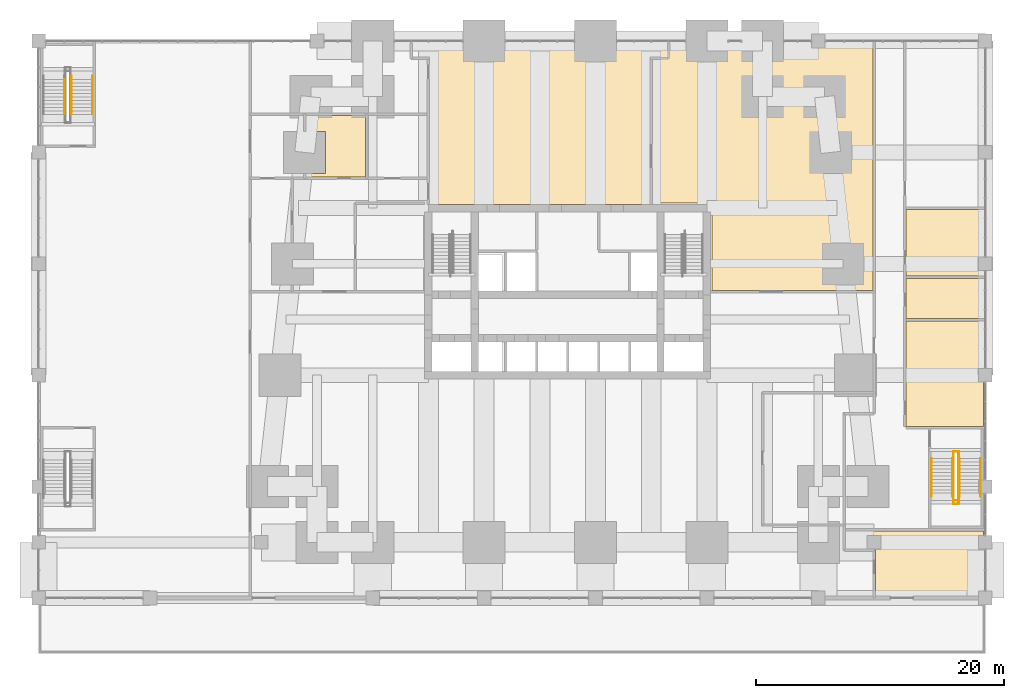
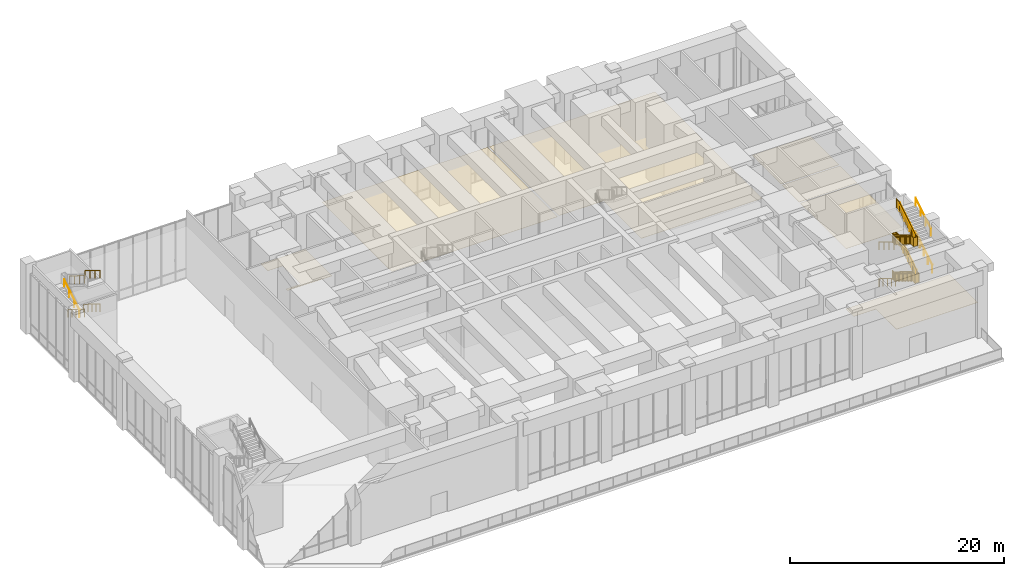
# One storey, part 26 of 26: 17 railings, 7 coverings.
"""IFC4 building model written with IfcOpenShell, lengths in metres."""

import ifcopenshell
import ifcopenshell.guid

model = None  # the IFC model being written
_history = None  # IfcOwnerHistory: only IFC2X3 demands one
_inside = {}  # id of a spatial element -> (the spatial element, [elements in it])
_under = {}  # id of a project, library or spatial element -> (it, [spatial elements below it])
_declared = {}  # id of a project -> (the project, [libraries it declares])
_typed = {}  # id of a type object -> (the type object, [elements of that type])
_made_of = {}  # id of a material, layer set ... -> (it, [elements and type objects made of it])


def new_model(schema):
    """Start an empty IFC model of exactly this schema.

    Asked for "IFC4X3", IfcOpenShell would pick the latest addendum, in which some entities
    have other attributes; the version numbers below select the first issue.
    IFC2X3 requires an IfcOwnerHistory on every rooted entity: one is made here for all.
    """
    global model, _history
    if schema == "IFC4X3":
        model = ifcopenshell.file(schema_version=(4, 3, 0, 0))
    else:
        model = ifcopenshell.file(schema=schema)
    _inside.clear()
    _under.clear()
    _declared.clear()
    _typed.clear()
    _made_of.clear()
    _history = None
    if model.schema == "IFC2X3":
        org = make("IfcOrganization", Name="unknown")
        user = make(
            "IfcPersonAndOrganization",
            ThePerson=make("IfcPerson", FamilyName="unknown"),
            TheOrganization=org,
        )
        app = make(
            "IfcApplication",
            ApplicationDeveloper=org,
            Version="unknown",
            ApplicationFullName="unknown",
            ApplicationIdentifier="unknown",
        )
        _history = make(
            "IfcOwnerHistory",
            OwningUser=user,
            OwningApplication=app,
            ChangeAction="ADDED",
            CreationDate=0,
        )
    return model


def make(cls, **values):
    """One entity of the class cls with the attributes given. An attribute that is None is left unset."""
    return model.create_entity(
        cls, **{name: value for name, value in values.items() if value is not None}
    )


def rooted(cls, **values):
    """An entity with a GlobalId (a new one), such as an element, a storey or a relation."""
    return make(cls, GlobalId=ifcopenshell.guid.new(), OwnerHistory=_history, **values)


def si_unit(unit_type, name, prefix=None):
    """IfcSIUnit, for example si_unit("LENGTHUNIT", "METRE", prefix="MILLI")."""
    return make("IfcSIUnit", UnitType=unit_type, Prefix=prefix, Name=name)


def assignment(units):
    """IfcUnitAssignment: the units of a project."""
    return None if units is None else make("IfcUnitAssignment", Units=units)


def point(xyz):
    """IfcCartesianPoint."""
    return None if xyz is None else make("IfcCartesianPoint", Coordinates=xyz)


def direction(xyz):
    """IfcDirection."""
    return None if xyz is None else make("IfcDirection", DirectionRatios=xyz)


def frame(location, z_axis=None, x_axis=None):
    """IfcAxis2Placement3D, a coordinate frame: its origin and axes. An axis left out is left unset."""
    return make(
        "IfcAxis2Placement3D",
        Location=point(location),
        Axis=direction(z_axis),
        RefDirection=direction(x_axis),
    )


def frame_2d(location, x_axis=None):
    """IfcAxis2Placement2D, a coordinate frame in the plane: its origin and x axis."""
    return make(
        "IfcAxis2Placement2D", Location=point(location), RefDirection=direction(x_axis)
    )


def origin():
    """The frame at (0, 0, 0) with its axes left unset."""
    return frame((0.0, 0.0, 0.0))


def origin_2d():
    """The frame at (0, 0) in the plane with its x axis left unset."""
    return frame_2d((0.0, 0.0))


def place(relative_to, where):
    """IfcLocalPlacement: puts the frame where relative to a parent placement (None: the world)."""
    return make(
        "IfcLocalPlacement", PlacementRelTo=relative_to, RelativePlacement=where
    )


def context(
    kind, dimensions, precision=None, world=None, true_north=None, identifier=None
):
    """IfcGeometricRepresentationContext, for example the 3D "Model" context."""
    return make(
        "IfcGeometricRepresentationContext",
        ContextIdentifier=identifier,
        ContextType=kind,
        CoordinateSpaceDimension=dimensions,
        Precision=precision,
        WorldCoordinateSystem=world,
        TrueNorth=true_north,
    )


def subcontext(parent, identifier, kind, view, scale=None):
    """IfcGeometricRepresentationSubContext, for example "Body" below "Model"."""
    return make(
        "IfcGeometricRepresentationSubContext",
        ContextIdentifier=identifier,
        ContextType=kind,
        ParentContext=parent,
        TargetScale=scale,
        TargetView=view,
    )


def project(units=None, contexts=None):
    """IfcProject with its units and contexts."""
    return rooted(
        "IfcProject",
        Name="project",
        RepresentationContexts=contexts,
        UnitsInContext=assignment(units),
    )


def spatial(cls, under=None, at=None, **own):
    """A site, building, storey or space (cls), placed at a placement, below another one or the project."""
    s = rooted(cls, ObjectPlacement=at, **own)
    if under is not None:
        _under.setdefault(under.id(), (under, []))[1].append(s)
    return s


def polyline(points):
    """IfcPolyline through the points."""
    return make("IfcPolyline", Points=[point(p) for p in points])


def profile(cls, at=None, kind="AREA", **sizes):
    """A parametric profile (cls). Its sizes go by their IFC names, for example OverallWidth=200.0."""
    return make(cls, ProfileType=kind, Position=at, **sizes)


def circle(**sizes):
    """IfcCircleProfileDef."""
    return profile("IfcCircleProfileDef", **sizes)


def outline(outer, holes=None, kind="AREA"):
    """IfcArbitraryClosedProfileDef: a profile drawn as a closed curve; with holes, ...WithVoids."""
    if holes is None:
        return make("IfcArbitraryClosedProfileDef", ProfileType=kind, OuterCurve=outer)
    return make(
        "IfcArbitraryProfileDefWithVoids",
        ProfileType=kind,
        OuterCurve=outer,
        InnerCurves=holes,
    )


def extrude(swept, where, along, depth):
    """IfcExtrudedAreaSolid: the profile swept, set in the frame where, extruded along a direction by depth."""
    return make(
        "IfcExtrudedAreaSolid",
        SweptArea=swept,
        Position=where,
        ExtrudedDirection=direction(along),
        Depth=depth,
    )


def shape(context_of_items, identifier, shape_type, items):
    """IfcShapeRepresentation: the items that make up one representation, for example the "Body"."""
    return make(
        "IfcShapeRepresentation",
        ContextOfItems=context_of_items,
        RepresentationIdentifier=identifier,
        RepresentationType=shape_type,
        Items=items,
    )


def material(Name=None, Category=None):
    """IfcMaterial."""
    return make("IfcMaterial", Name=Name, Category=Category)


def layer(
    of_material, thickness, ventilated=None, Name=None, Category=None, Priority=None
):
    """IfcMaterialLayer: one layer of a wall or slab, of a material (None: an air gap)."""
    return make(
        "IfcMaterialLayer",
        Material=of_material,
        LayerThickness=thickness,
        IsVentilated=ventilated,
        Name=Name,
        Category=Category,
        Priority=Priority,
    )


def layer_set(layers, Name=None):
    """IfcMaterialLayerSet."""
    return make("IfcMaterialLayerSet", MaterialLayers=layers, LayerSetName=Name)


def made_of(thing, what):
    """Note that an element or type object is made of a material, layer set ...; save() writes the relation."""
    if what is not None:
        _made_of.setdefault(what.id(), (what, []))[1].append(thing)
    return thing


def type_object(cls, material=None, **own):
    """A type object (cls), such as IfcWallType, which elements share."""
    return made_of(rooted(cls, **own), material)


def element(
    cls,
    number,
    at=None,
    inside=None,
    cuts=None,
    type_object=None,
    material=None,
    context=None,
    identifier="Body",
    shape_type=None,
    held_by="IfcProductDefinitionShape",
    body=None,
    shapes=None,
    **own,
):
    """One element of the class cls, such as IfcWall. Its Tag is "e" and its number.

    at: its placement. inside: the storey or other place that contains it. cuts: it is an
    opening in that element (IfcRelVoidsElement). A single representation is given by context,
    identifier, shape_type and body (its items); several are given by shapes. held_by: the class
    of the entity that holds the representations. save() writes the other relations.
    """
    e = rooted(cls, Tag="e%d" % number, ObjectPlacement=at, **own)
    if body is not None:
        shapes = [shape(context, identifier, shape_type, body)]
    if shapes is not None:
        e.Representation = make(held_by, Representations=shapes)
    if inside is not None:
        _inside.setdefault(inside.id(), (inside, []))[1].append(e)
    if cuts is not None:
        rooted(
            "IfcRelVoidsElement", RelatingBuildingElement=cuts, RelatedOpeningElement=e
        )
    if type_object is not None:
        _typed.setdefault(type_object.id(), (type_object, []))[1].append(e)
    return made_of(e, material)


def aggregate(whole, parts):
    """IfcRelAggregates: a whole, such as a stair, and the parts it consists of."""
    return rooted("IfcRelAggregates", RelatingObject=whole, RelatedObjects=parts)


def save(model, path):
    """Write the relations noted so far, then the file.

    IfcRelAggregates (storeys below a building ...), IfcRelContainedInSpatialStructure (elements
    in a storey), IfcRelDefinesByType, IfcRelAssociatesMaterial and IfcRelDeclares: one each for
    every whole, place, type object, material and project.
    """
    for whole, parts in _under.values():
        aggregate(whole, parts)
    for where, things in _inside.values():
        rooted(
            "IfcRelContainedInSpatialStructure",
            RelatedElements=things,
            RelatingStructure=where,
        )
    for kind, things in _typed.values():
        rooted("IfcRelDefinesByType", RelatedObjects=things, RelatingType=kind)
    for what, things in _made_of.values():
        rooted("IfcRelAssociatesMaterial", RelatedObjects=things, RelatingMaterial=what)
    for by, libraries in _declared.values():
        rooted("IfcRelDeclares", RelatingContext=by, RelatedDefinitions=libraries)
    model.write(path)


model = new_model("IFC4")

# Units and contexts
model_context = context("Model", 3, precision=1e-05, world=origin(), true_north=direction((0.0, 1.0)))
body_context = subcontext(model_context, "Body", "Model", "MODEL_VIEW")
ifc_project = project(units=[si_unit("LENGTHUNIT", "METRE"), si_unit("AREAUNIT", "SQUARE_METRE"), si_unit("VOLUMEUNIT", "CUBIC_METRE"), si_unit("PLANEANGLEUNIT", "RADIAN"), si_unit("MASSUNIT", "GRAM", prefix="KILO")], contexts=[model_context])

# Site, building, storey
site_placement = place(None, origin())
site = spatial("IfcSite", under=ifc_project, at=site_placement, CompositionType="ELEMENT")
building_placement = place(site_placement, origin())
building = spatial("IfcBuilding", under=site, at=building_placement, Name="Kilele Tower Hotel", CompositionType="ELEMENT")
storey_placement = place(building_placement, frame((0.0, 0.0, 11.0)))
storey = spatial("IfcBuildingStorey", under=building, at=storey_placement, Name="L02", CompositionType="ELEMENT", Elevation=11.0)

# Railings
ifc_material_1 = material(Name="Steel handrail", Category="steel")
railing_type_1 = type_object("IfcRailingType", Name="Handrail 900", PredefinedType="HANDRAIL", material=ifc_material_1)
for number, where, name in (
    (1, (-15.35009765625, 37.6650390625, 2.260986328125), "Handrail ST3 flight 2"),
    (2, (-13.64990234375, 37.6650390625, 2.260986328125), "Handrail ST3 flight 2"),
):
    element("IfcRailing", number, at=place(storey_placement, frame(where)), inside=storey, type_object=railing_type_1, Name=name, PredefinedType="HANDRAIL", context=body_context, shape_type="SweptSolid", body=[
        extrude(circle(Radius=0.02490234375, at=origin_2d()), frame((0.0, 0.0, 0.875), z_axis=(0.0, -0.849508011154, 0.527575718722), x_axis=(1.0, 0.0, 0.0)), (0.0, 0.0, 1.0), 3.625732421875),
        extrude(circle(Radius=0.02001953125, at=origin_2d()), origin(), (0.0, 0.0, 1.0), 0.849853515625),
        extrude(circle(Radius=0.02001953125, at=origin_2d()), frame((0.0, -0.77001953125, 0.478271484375)), (0.0, 0.0, 1.0), 0.849853515625),
        extrude(circle(Radius=0.02001953125, at=origin_2d()), frame((0.0, -1.5400390625, 0.95654296875)), (0.0, 0.0, 1.0), 0.849853515625),
        extrude(circle(Radius=0.02001953125, at=origin_2d()), frame((0.0, -2.31005859375, 1.4345703125)), (0.0, 0.0, 1.0), 0.849853515625),
        extrude(circle(Radius=0.02001953125, at=origin_2d()), frame((0.0, -3.080078125, 1.912841796875)), (0.0, 0.0, 1.0), 0.849853515625),
    ])
railing_1_placement = place(storey_placement, frame((-15.89990234375, 34.5849609375, 4.347900390625)))
element("IfcRailing", 3, at=railing_1_placement, inside=storey, type_object=railing_type_1, Name="Handrail ST3 flight 3", PredefinedType="HANDRAIL", context=body_context, shape_type="SweptSolid", body=[
    extrude(circle(Radius=0.02490234375, at=origin_2d()), frame((0.0, 0.0, 0.875), z_axis=(0.0, 0.849497083269, 0.527593314511), x_axis=(-1.0, 0.0, 0.0)), (0.0, 0.0, 1.0), 3.296142578125),
    extrude(circle(Radius=0.02001953125, at=origin_2d()), origin(), (0.0, 0.0, 1.0), 0.849853515625),
    extrude(circle(Radius=0.02001953125, at=origin_2d()), frame((0.0, 0.933349609375, 0.57958984375)), (0.0, 0.0, 1.0), 0.849853515625),
    extrude(circle(Radius=0.02001953125, at=origin_2d()), frame((0.0, 1.86669921875, 1.159423828125)), (0.0, 0.0, 1.0), 0.849853515625),
    extrude(circle(Radius=0.02001953125, at=origin_2d()), frame((0.0, 2.800048828125, 1.739013671875)), (0.0, 0.0, 1.0), 0.849853515625),
])
for number, where, name in (
    (4, (-15.35009765625, 37.385009765625, 6.260986328125), "Handrail ST3 flight 4"),
    (5, (-13.64990234375, 37.385009765625, 6.260986328125), "Handrail ST3 flight 4"),
):
    element("IfcRailing", number, at=place(storey_placement, frame(where)), inside=storey, type_object=railing_type_1, Name=name, PredefinedType="HANDRAIL", context=body_context, shape_type="SweptSolid", body=[
        extrude(circle(Radius=0.02490234375, at=origin_2d()), frame((0.0, 0.0, 0.875), z_axis=(0.0, -0.849497083269, 0.527593314511), x_axis=(1.0, 0.0, 0.0)), (0.0, 0.0, 1.0), 3.296142578125),
        extrude(circle(Radius=0.02001953125, at=origin_2d()), origin(), (0.0, 0.0, 1.0), 0.849853515625),
        extrude(circle(Radius=0.02001953125, at=origin_2d()), frame((0.0, -0.933349609375, 0.57958984375)), (0.0, 0.0, 1.0), 0.849853515625),
        extrude(circle(Radius=0.02001953125, at=origin_2d()), frame((0.0, -1.86669921875, 1.159423828125)), (0.0, 0.0, 1.0), 0.849853515625),
        extrude(circle(Radius=0.02001953125, at=origin_2d()), frame((0.0, -2.800048828125, 1.739013671875)), (0.0, 0.0, 1.0), 0.849853515625),
    ])
for number, where, name in (
    (6, (54.14990234375, 6.764892578125, 0.173828125), "Handrail ST5 flight 1"),
    (7, (55.85009765625, 6.764892578125, 0.173828125), "Handrail ST5 flight 1"),
):
    element("IfcRailing", number, at=place(storey_placement, frame(where)), inside=storey, type_object=railing_type_1, Name=name, PredefinedType="HANDRAIL", context=body_context, shape_type="SweptSolid", body=[
        extrude(circle(Radius=0.02490234375, at=origin_2d()), frame((0.0, 0.0, 0.875), z_axis=(0.0, -0.849459085935, 0.527654490479), x_axis=(1.0, 0.0, 0.0)), (0.0, 0.0, 1.0), 3.625732421875),
        extrude(circle(Radius=0.02001953125, at=origin_2d()), origin(), (0.0, 0.0, 1.0), 0.849853515625),
        extrude(circle(Radius=0.02001953125, at=origin_2d()), frame((0.0, -0.77001953125, 0.478271484375)), (0.0, 0.0, 1.0), 0.849853515625),
        extrude(circle(Radius=0.02001953125, at=origin_2d()), frame((0.0, -1.5400390625, 0.95654296875)), (0.0, 0.0, 1.0), 0.849853515625),
        extrude(circle(Radius=0.02001953125, at=origin_2d()), frame((0.0, -2.309814453125, 1.434814453125)), (0.0, 0.0, 1.0), 0.849853515625),
        extrude(circle(Radius=0.02001953125, at=origin_2d()), frame((0.0, -3.079833984375, 1.9130859375)), (0.0, 0.0, 1.0), 0.849853515625),
    ])
for number, where, name in (
    (8, (56.39990234375, 3.68505859375, 2.260986328125), "Handrail ST5 flight 2"),
    (9, (58.10009765625, 3.68505859375, 2.260986328125), "Handrail ST5 flight 2"),
):
    element("IfcRailing", number, at=place(storey_placement, frame(where)), inside=storey, type_object=railing_type_1, Name=name, PredefinedType="HANDRAIL", context=body_context, shape_type="SweptSolid", body=[
        extrude(circle(Radius=0.02490234375, at=origin_2d()), frame((0.0, 0.0, 0.875), z_axis=(0.0, 0.849489267569, 0.527605898645), x_axis=(-1.0, 0.0, 0.0)), (0.0, 0.0, 1.0), 3.62548828125),
        extrude(circle(Radius=0.02001953125, at=origin_2d()), origin(), (0.0, 0.0, 1.0), 0.849853515625),
        extrude(circle(Radius=0.02001953125, at=origin_2d()), frame((0.0, 0.77001953125, 0.478271484375)), (0.0, 0.0, 1.0), 0.849853515625),
        extrude(circle(Radius=0.02001953125, at=origin_2d()), frame((0.0, 1.5400390625, 0.95654296875)), (0.0, 0.0, 1.0), 0.849853515625),
        extrude(circle(Radius=0.02001953125, at=origin_2d()), frame((0.0, 2.309814453125, 1.4345703125)), (0.0, 0.0, 1.0), 0.849853515625),
        extrude(circle(Radius=0.02001953125, at=origin_2d()), frame((0.0, 3.079833984375, 1.912841796875)), (0.0, 0.0, 1.0), 0.849853515625),
    ])
for number, where, name in (
    (10, (54.14990234375, 6.764892578125, 4.347900390625), "Handrail ST5 flight 3"),
    (11, (55.85009765625, 6.764892578125, 4.347900390625), "Handrail ST5 flight 3"),
):
    element("IfcRailing", number, at=place(storey_placement, frame(where)), inside=storey, type_object=railing_type_1, Name=name, PredefinedType="HANDRAIL", context=body_context, shape_type="SweptSolid", body=[
        extrude(circle(Radius=0.02490234375, at=origin_2d()), frame((0.0, 0.0, 0.875), z_axis=(0.0, -0.849476463875, 0.527626513096), x_axis=(1.0, 0.0, 0.0)), (0.0, 0.0, 1.0), 3.2958984375),
        extrude(circle(Radius=0.02001953125, at=origin_2d()), origin(), (0.0, 0.0, 1.0), 0.849853515625),
        extrude(circle(Radius=0.02001953125, at=origin_2d()), frame((0.0, -0.933349609375, 0.57958984375)), (0.0, 0.0, 1.0), 0.849853515625),
        extrude(circle(Radius=0.02001953125, at=origin_2d()), frame((0.0, -1.866455078125, 1.159423828125)), (0.0, 0.0, 1.0), 0.849853515625),
        extrude(circle(Radius=0.02001953125, at=origin_2d()), frame((0.0, -2.7998046875, 1.739013671875)), (0.0, 0.0, 1.0), 0.849853515625),
    ])
for number, where, name in (
    (12, (56.39990234375, 3.965087890625, 6.260986328125), "Handrail ST5 flight 4"),
    (13, (58.10009765625, 3.965087890625, 6.260986328125), "Handrail ST5 flight 4"),
):
    element("IfcRailing", number, at=place(storey_placement, frame(where)), inside=storey, type_object=railing_type_1, Name=name, PredefinedType="HANDRAIL", context=body_context, shape_type="SweptSolid", body=[
        extrude(circle(Radius=0.02490234375, at=origin_2d()), frame((0.0, 0.0, 0.875), z_axis=(0.0, 0.849476463875, 0.527626513096), x_axis=(-1.0, 0.0, 0.0)), (0.0, 0.0, 1.0), 3.2958984375),
        extrude(circle(Radius=0.02001953125, at=origin_2d()), origin(), (0.0, 0.0, 1.0), 0.849853515625),
        extrude(circle(Radius=0.02001953125, at=origin_2d()), frame((0.0, 0.933349609375, 0.57958984375)), (0.0, 0.0, 1.0), 0.849853515625),
        extrude(circle(Radius=0.02001953125, at=origin_2d()), frame((0.0, 1.866455078125, 1.159423828125)), (0.0, 0.0, 1.0), 0.849853515625),
        extrude(circle(Radius=0.02001953125, at=origin_2d()), frame((0.0, 2.7998046875, 1.739013671875)), (0.0, 0.0, 1.0), 0.849853515625),
    ])
ifc_material_2 = material(Name="Steel guard", Category="steel")
railing_type_2 = type_object("IfcRailingType", Name="Stair guard 1100", PredefinedType="GUARDRAIL", material=ifc_material_2)
railing_2_placement = place(storey_placement, frame((55.909912109375, 7.35009765625, 0.0)))
element("IfcRailing", 14, at=railing_2_placement, inside=storey, type_object=railing_type_2, Name="Stair well guard ST5 flight 1", PredefinedType="GUARDRAIL", context=body_context, shape_type="SweptSolid", body=[
    extrude(circle(Radius=0.02490234375, at=origin_2d()), frame((0.0, 0.0, 1.0751953125), z_axis=(0.0, -1.0, 0.0), x_axis=(1.0, 0.0, 0.0)), (0.0, 0.0, 1.0), 0.30517578125),
    extrude(circle(Radius=0.02490234375, at=origin_2d()), frame((0.0, -0.30517578125, 1.0751953125), z_axis=(0.0, -0.849472271014, 0.527633263525), x_axis=(1.0, 0.0, 0.0)), (0.0, 0.0, 1.0), 3.955322265625),
    extrude(circle(Radius=0.02490234375, at=origin_2d()), frame((0.0, -3.6650390625, 3.162109375), z_axis=(0.0, -1.0, 0.0), x_axis=(1.0, 0.0, 0.0)), (0.0, 0.0, 1.0), 0.5849609375),
    extrude(circle(Radius=0.02490234375, at=origin_2d()), frame((0.0, -4.25, 3.162109375), z_axis=(1.0, 0.0, 0.0), x_axis=(0.0, 1.0, 0.0)), (0.0, 0.0, 1.0), 0.43017578125),
    extrude(circle(Radius=0.02490234375, at=origin_2d()), origin(), (0.0, 0.0, 1.0), 1.050048828125),
    extrude(circle(Radius=0.02490234375, at=origin_2d()), frame((0.0, -0.30517578125, 0.0)), (0.0, 0.0, 1.0), 1.050048828125),
    extrude(circle(Radius=0.02490234375, at=origin_2d()), frame((0.0, -1.14501953125, 0.521728515625)), (0.0, 0.0, 1.0), 1.050048828125),
    extrude(circle(Radius=0.02490234375, at=origin_2d()), frame((0.0, -1.985107421875, 1.04345703125)), (0.0, 0.0, 1.0), 1.050048828125),
    extrude(circle(Radius=0.02490234375, at=origin_2d()), frame((0.0, -2.8251953125, 1.565185546875)), (0.0, 0.0, 1.0), 1.050048828125),
    extrude(circle(Radius=0.02490234375, at=origin_2d()), frame((0.0, -3.6650390625, 2.0869140625)), (0.0, 0.0, 1.0), 1.050048828125),
    extrude(circle(Radius=0.02490234375, at=origin_2d()), frame((0.0, -4.25, 2.0869140625)), (0.0, 0.0, 1.0), 1.050048828125),
    extrude(circle(Radius=0.02490234375, at=origin_2d()), frame((0.43017578125, -4.25, 2.0869140625)), (0.0, 0.0, 1.0), 1.050048828125),
    extrude(outline(polyline([(0.0, 0.030029296875), (0.292724609375, 0.030029296875), (0.292724609375, 1.050048828125), (0.0, 1.050048828125), (0.0, 0.030029296875)])), frame((0.005859375, 0.0, 0.0), z_axis=(-1.0, 0.0, 0.0), x_axis=(0.0, -1.0, 0.0)), (0.0, 0.0, 1.0), 0.011962890625),
    extrude(outline(polyline([(0.012451171875, 0.030029296875), (0.25, 0.030029296875), (0.25, 0.203857421875), (0.530029296875, 0.203857421875), (0.530029296875, 0.3779296875), (0.81005859375, 0.3779296875), (0.81005859375, 0.5517578125), (1.08984375, 0.5517578125), (1.08984375, 0.7255859375), (1.369873046875, 0.7255859375), (1.369873046875, 0.899658203125), (1.64990234375, 0.899658203125), (1.64990234375, 1.073486328125), (1.929931640625, 1.073486328125), (1.929931640625, 1.247314453125), (2.2099609375, 1.247314453125), (2.2099609375, 1.42138671875), (2.48974609375, 1.42138671875), (2.48974609375, 1.59521484375), (2.769775390625, 1.59521484375), (2.769775390625, 1.76904296875), (3.0498046875, 1.76904296875), (3.0498046875, 1.943115234375), (3.329833984375, 1.943115234375), (3.329833984375, 2.116943359375), (3.347412109375, 2.116943359375), (3.347412109375, 3.124755859375), (0.012451171875, 1.053466796875), (0.012451171875, 0.030029296875)])), frame((0.005859375, -0.30517578125, 0.0), z_axis=(-1.0, 0.0, 0.0), x_axis=(0.0, -1.0, 0.0)), (0.0, 0.0, 1.0), 0.011962890625),
    extrude(outline(polyline([(0.012451171875, 0.030029296875), (0.572509765625, 0.030029296875), (0.572509765625, 1.050048828125), (0.012451171875, 1.050048828125), (0.012451171875, 0.030029296875)])), frame((0.005859375, -3.6650390625, 2.0869140625), z_axis=(-1.0, 0.0, 0.0), x_axis=(0.0, -1.0, 0.0)), (0.0, 0.0, 1.0), 0.011962890625),
    extrude(outline(polyline([(0.012451171875, 0.030029296875), (0.43017578125, 0.030029296875), (0.43017578125, 1.050048828125), (0.012451171875, 1.050048828125), (0.012451171875, 0.030029296875)])), frame((0.0, -4.244140625, 2.0869140625), z_axis=(0.0, -1.0, 0.0), x_axis=(1.0, 0.0, 0.0)), (0.0, 0.0, 1.0), 0.011962890625),
])
railing_3_placement = place(storey_placement, frame((56.340087890625, 3.10009765625, 2.0869140625)))
element("IfcRailing", 15, at=railing_3_placement, inside=storey, type_object=railing_type_2, Name="Stair well guard ST5 flight 2", PredefinedType="GUARDRAIL", context=body_context, shape_type="SweptSolid", body=[
    extrude(circle(Radius=0.02490234375, at=origin_2d()), frame((0.0, 0.0, 1.0751953125), z_axis=(0.0, 1.0, 0.0), x_axis=(-1.0, 0.0, 0.0)), (0.0, 0.0, 1.0), 0.304931640625),
    extrude(circle(Radius=0.02490234375, at=origin_2d()), frame((0.0, 0.304931640625, 1.0751953125), z_axis=(0.0, 0.849472271014, 0.527633263525), x_axis=(-1.0, 0.0, 0.0)), (0.0, 0.0, 1.0), 3.955322265625),
    extrude(circle(Radius=0.02490234375, at=origin_2d()), frame((0.0, 3.664794921875, 3.162109375), z_axis=(0.0, 1.0, 0.0), x_axis=(-1.0, 0.0, 0.0)), (0.0, 0.0, 1.0), 0.585205078125),
    extrude(circle(Radius=0.02490234375, at=origin_2d()), frame((0.0, 4.25, 3.162109375), z_axis=(-1.0, 0.0, 0.0), x_axis=(0.0, -1.0, 0.0)), (0.0, 0.0, 1.0), 0.43017578125),
    extrude(circle(Radius=0.02490234375, at=origin_2d()), origin(), (0.0, 0.0, 1.0), 1.050048828125),
    extrude(circle(Radius=0.02490234375, at=origin_2d()), frame((0.0, 0.304931640625, 0.0)), (0.0, 0.0, 1.0), 1.050048828125),
    extrude(circle(Radius=0.02490234375, at=origin_2d()), frame((0.0, 1.14501953125, 0.521728515625)), (0.0, 0.0, 1.0), 1.050048828125),
    extrude(circle(Radius=0.02490234375, at=origin_2d()), frame((0.0, 1.98486328125, 1.04345703125)), (0.0, 0.0, 1.0), 1.050048828125),
    extrude(circle(Radius=0.02490234375, at=origin_2d()), frame((0.0, 2.82470703125, 1.565185546875)), (0.0, 0.0, 1.0), 1.050048828125),
    extrude(circle(Radius=0.02490234375, at=origin_2d()), frame((0.0, 3.664794921875, 2.0869140625)), (0.0, 0.0, 1.0), 1.050048828125),
    extrude(circle(Radius=0.02490234375, at=origin_2d()), frame((0.0, 4.25, 2.0869140625)), (0.0, 0.0, 1.0), 1.050048828125),
    extrude(circle(Radius=0.02490234375, at=origin_2d()), frame((-0.43017578125, 4.25, 2.0869140625)), (0.0, 0.0, 1.0), 1.050048828125),
    extrude(outline(polyline([(0.0, 0.030029296875), (0.29248046875, 0.030029296875), (0.29248046875, 1.050048828125), (0.0, 1.050048828125), (0.0, 0.030029296875)])), frame((-0.005859375, 0.0, 0.0), z_axis=(1.0, 0.0, 0.0), x_axis=(0.0, 1.0, 0.0)), (0.0, 0.0, 1.0), 0.011962890625),
    extrude(outline(polyline([(0.012451171875, 0.030029296875), (0.25, 0.030029296875), (0.25, 0.203857421875), (0.530029296875, 0.203857421875), (0.530029296875, 0.3779296875), (0.81005859375, 0.3779296875), (0.81005859375, 0.5517578125), (1.08984375, 0.5517578125), (1.08984375, 0.7255859375), (1.369873046875, 0.7255859375), (1.369873046875, 0.899658203125), (1.64990234375, 0.899658203125), (1.64990234375, 1.073486328125), (1.929931640625, 1.073486328125), (1.929931640625, 1.247314453125), (2.2099609375, 1.247314453125), (2.2099609375, 1.42138671875), (2.48974609375, 1.42138671875), (2.48974609375, 1.59521484375), (2.769775390625, 1.59521484375), (2.769775390625, 1.76904296875), (3.0498046875, 1.76904296875), (3.0498046875, 1.943115234375), (3.329833984375, 1.943115234375), (3.329833984375, 2.116943359375), (3.347412109375, 2.116943359375), (3.347412109375, 3.124755859375), (0.012451171875, 1.053466796875), (0.012451171875, 0.030029296875)])), frame((-0.005859375, 0.304931640625, 0.0), z_axis=(1.0, 0.0, 0.0), x_axis=(0.0, 1.0, 0.0)), (0.0, 0.0, 1.0), 0.011962890625),
    extrude(outline(polyline([(0.012451171875, 0.030029296875), (0.57275390625, 0.030029296875), (0.57275390625, 1.050048828125), (0.012451171875, 1.050048828125), (0.012451171875, 0.030029296875)])), frame((-0.005859375, 3.664794921875, 2.0869140625), z_axis=(1.0, 0.0, 0.0), x_axis=(0.0, 1.0, 0.0)), (0.0, 0.0, 1.0), 0.011962890625),
    extrude(outline(polyline([(0.012451171875, 0.030029296875), (0.43017578125, 0.030029296875), (0.43017578125, 1.050048828125), (0.012451171875, 1.050048828125), (0.012451171875, 0.030029296875)])), frame((0.0, 4.244140625, 2.0869140625), z_axis=(0.0, 1.0, 0.0), x_axis=(-1.0, 0.0, 0.0)), (0.0, 0.0, 1.0), 0.011962890625),
])
railing_4_placement = place(storey_placement, frame((55.909912109375, 7.35009765625, 4.173828125)))
element("IfcRailing", 16, at=railing_4_placement, inside=storey, type_object=railing_type_2, Name="Stair well guard ST5 flight 3", PredefinedType="GUARDRAIL", context=body_context, shape_type="SweptSolid", body=[
    extrude(circle(Radius=0.02490234375, at=origin_2d()), frame((0.0, 0.0, 1.0751953125), z_axis=(0.0, -1.0, 0.0), x_axis=(1.0, 0.0, 0.0)), (0.0, 0.0, 1.0), 0.30517578125),
    extrude(circle(Radius=0.02490234375, at=origin_2d()), frame((0.0, -0.30517578125, 1.0751953125), z_axis=(0.0, -0.849459085935, 0.527654490479), x_axis=(1.0, 0.0, 0.0)), (0.0, 0.0, 1.0), 3.625732421875),
    extrude(circle(Radius=0.02490234375, at=origin_2d()), frame((0.0, -3.385009765625, 2.98828125), z_axis=(0.0, -1.0, 0.0), x_axis=(1.0, 0.0, 0.0)), (0.0, 0.0, 1.0), 0.585205078125),
    extrude(circle(Radius=0.02490234375, at=origin_2d()), frame((0.0, -3.97021484375, 2.98828125), z_axis=(1.0, 0.0, 0.0), x_axis=(0.0, 1.0, 0.0)), (0.0, 0.0, 1.0), 0.43017578125),
    extrude(circle(Radius=0.02490234375, at=origin_2d()), origin(), (0.0, 0.0, 1.0), 1.050048828125),
    extrude(circle(Radius=0.02490234375, at=origin_2d()), frame((0.0, -0.30517578125, 0.0)), (0.0, 0.0, 1.0), 1.050048828125),
    extrude(circle(Radius=0.02490234375, at=origin_2d()), frame((0.0, -1.0751953125, 0.478271484375)), (0.0, 0.0, 1.0), 1.050048828125),
    extrude(circle(Radius=0.02490234375, at=origin_2d()), frame((0.0, -1.84521484375, 0.95654296875)), (0.0, 0.0, 1.0), 1.050048828125),
    extrude(circle(Radius=0.02490234375, at=origin_2d()), frame((0.0, -2.614990234375, 1.434814453125)), (0.0, 0.0, 1.0), 1.050048828125),
    extrude(circle(Radius=0.02490234375, at=origin_2d()), frame((0.0, -3.385009765625, 1.9130859375)), (0.0, 0.0, 1.0), 1.050048828125),
    extrude(circle(Radius=0.02490234375, at=origin_2d()), frame((0.0, -3.97021484375, 1.9130859375)), (0.0, 0.0, 1.0), 1.050048828125),
    extrude(circle(Radius=0.02490234375, at=origin_2d()), frame((0.43017578125, -3.97021484375, 1.9130859375)), (0.0, 0.0, 1.0), 1.050048828125),
    extrude(outline(polyline([(0.0, 0.030029296875), (0.292724609375, 0.030029296875), (0.292724609375, 1.050048828125), (0.0, 1.050048828125), (0.0, 0.030029296875)])), frame((0.005859375, 0.0, 0.0), z_axis=(-1.0, 0.0, 0.0), x_axis=(0.0, -1.0, 0.0)), (0.0, 0.0, 1.0), 0.011962890625),
    extrude(outline(polyline([(0.012451171875, 0.030029296875), (0.25, 0.030029296875), (0.25, 0.203857421875), (0.530029296875, 0.203857421875), (0.530029296875, 0.3779296875), (0.809814453125, 0.3779296875), (0.809814453125, 0.5517578125), (1.08984375, 0.5517578125), (1.08984375, 0.7255859375), (1.369873046875, 0.7255859375), (1.369873046875, 0.899658203125), (1.64990234375, 0.899658203125), (1.64990234375, 1.073486328125), (1.929931640625, 1.073486328125), (1.929931640625, 1.24755859375), (2.2099609375, 1.24755859375), (2.2099609375, 1.42138671875), (2.48974609375, 1.42138671875), (2.48974609375, 1.59521484375), (2.769775390625, 1.59521484375), (2.769775390625, 1.769287109375), (3.0498046875, 1.769287109375), (3.0498046875, 1.943115234375), (3.0673828125, 1.943115234375), (3.0673828125, 2.950927734375), (0.012451171875, 1.053466796875), (0.012451171875, 0.030029296875)])), frame((0.005859375, -0.30517578125, 0.0), z_axis=(-1.0, 0.0, 0.0), x_axis=(0.0, -1.0, 0.0)), (0.0, 0.0, 1.0), 0.011962890625),
    extrude(outline(polyline([(0.012451171875, 0.030029296875), (0.57275390625, 0.030029296875), (0.57275390625, 1.050048828125), (0.012451171875, 1.050048828125), (0.012451171875, 0.030029296875)])), frame((0.005859375, -3.385009765625, 1.9130859375), z_axis=(-1.0, 0.0, 0.0), x_axis=(0.0, -1.0, 0.0)), (0.0, 0.0, 1.0), 0.011962890625),
    extrude(outline(polyline([(0.012451171875, 0.030029296875), (0.43017578125, 0.030029296875), (0.43017578125, 1.050048828125), (0.012451171875, 1.050048828125), (0.012451171875, 0.030029296875)])), frame((0.0, -3.96435546875, 1.9130859375), z_axis=(0.0, -1.0, 0.0), x_axis=(1.0, 0.0, 0.0)), (0.0, 0.0, 1.0), 0.011962890625),
])
railing_5_placement = place(storey_placement, frame((56.340087890625, 3.3798828125, 6.0869140625)))
element("IfcRailing", 17, at=railing_5_placement, inside=storey, type_object=railing_type_2, Name="Stair well guard ST5 flight 4", PredefinedType="GUARDRAIL", context=body_context, shape_type="SweptSolid", body=[
    extrude(circle(Radius=0.02490234375, at=origin_2d()), frame((0.0, 0.0, 1.0751953125), z_axis=(0.0, 1.0, 0.0), x_axis=(-1.0, 0.0, 0.0)), (0.0, 0.0, 1.0), 0.30517578125),
    extrude(circle(Radius=0.02490234375, at=origin_2d()), frame((0.0, 0.30517578125, 1.0751953125), z_axis=(0.0, 0.849459085935, 0.527654490479), x_axis=(-1.0, 0.0, 0.0)), (0.0, 0.0, 1.0), 3.625732421875),
    extrude(circle(Radius=0.02490234375, at=origin_2d()), frame((0.0, 3.385009765625, 2.98828125), z_axis=(0.0, 1.0, 0.0), x_axis=(-1.0, 0.0, 0.0)), (0.0, 0.0, 1.0), 0.585205078125),
    extrude(circle(Radius=0.02490234375, at=origin_2d()), origin(), (0.0, 0.0, 1.0), 1.050048828125),
    extrude(circle(Radius=0.02490234375, at=origin_2d()), frame((0.0, 0.30517578125, 0.0)), (0.0, 0.0, 1.0), 1.050048828125),
    extrude(circle(Radius=0.02490234375, at=origin_2d()), frame((0.0, 1.0751953125, 0.478271484375)), (0.0, 0.0, 1.0), 1.050048828125),
    extrude(circle(Radius=0.02490234375, at=origin_2d()), frame((0.0, 1.84521484375, 0.95654296875)), (0.0, 0.0, 1.0), 1.050048828125),
    extrude(circle(Radius=0.02490234375, at=origin_2d()), frame((0.0, 2.614990234375, 1.434814453125)), (0.0, 0.0, 1.0), 1.050048828125),
    extrude(circle(Radius=0.02490234375, at=origin_2d()), frame((0.0, 3.385009765625, 1.9130859375)), (0.0, 0.0, 1.0), 1.050048828125),
    extrude(circle(Radius=0.02490234375, at=origin_2d()), frame((0.0, 3.97021484375, 1.9130859375)), (0.0, 0.0, 1.0), 1.050048828125),
    extrude(outline(polyline([(0.0, 0.030029296875), (0.292724609375, 0.030029296875), (0.292724609375, 1.050048828125), (0.0, 1.050048828125), (0.0, 0.030029296875)])), frame((-0.005859375, 0.0, 0.0), z_axis=(1.0, 0.0, 0.0), x_axis=(0.0, 1.0, 0.0)), (0.0, 0.0, 1.0), 0.011962890625),
    extrude(outline(polyline([(0.012451171875, 0.030029296875), (0.25, 0.030029296875), (0.25, 0.203857421875), (0.530029296875, 0.203857421875), (0.530029296875, 0.3779296875), (0.809814453125, 0.3779296875), (0.809814453125, 0.5517578125), (1.08984375, 0.5517578125), (1.08984375, 0.7255859375), (1.369873046875, 0.7255859375), (1.369873046875, 0.899658203125), (1.64990234375, 0.899658203125), (1.64990234375, 1.073486328125), (1.929931640625, 1.073486328125), (1.929931640625, 1.24755859375), (2.2099609375, 1.24755859375), (2.2099609375, 1.42138671875), (2.48974609375, 1.42138671875), (2.48974609375, 1.59521484375), (2.769775390625, 1.59521484375), (2.769775390625, 1.769287109375), (3.0498046875, 1.769287109375), (3.0498046875, 1.943115234375), (3.0673828125, 1.943115234375), (3.0673828125, 2.950927734375), (0.012451171875, 1.053466796875), (0.012451171875, 0.030029296875)])), frame((-0.005859375, 0.30517578125, 0.0), z_axis=(1.0, 0.0, 0.0), x_axis=(0.0, 1.0, 0.0)), (0.0, 0.0, 1.0), 0.011962890625),
    extrude(outline(polyline([(0.012451171875, 0.030029296875), (0.585205078125, 0.030029296875), (0.585205078125, 1.050048828125), (0.012451171875, 1.050048828125), (0.012451171875, 0.030029296875)])), frame((-0.005859375, 3.385009765625, 1.9130859375), z_axis=(1.0, 0.0, 0.0), x_axis=(0.0, 1.0, 0.0)), (0.0, 0.0, 1.0), 0.011962890625),
])

# Coverings
ifc_material_3 = material(Name="Gypsum board suspended ceiling", Category="gypsum")
ifc_layer = layer(ifc_material_3, 0.02490234375)
ifc_layer_set = layer_set([ifc_layer], Name="Gypsum board suspended ceiling")
covering_type = type_object("IfcCoveringType", Name="Suspended ceiling 25", PredefinedType="CEILING", material=ifc_layer_set)
covering_1_placement = place(storey_placement, frame((0.0, 0.0, 3.60009765625)))
element("IfcCovering", 18, at=covering_1_placement, inside=storey, type_object=covering_type, Name="Suspended ceiling Banquet kitchen", PredefinedType="CEILING", context=body_context, shape_type="SweptSolid", body=[
    extrude(outline(polyline([(31.39990234375, 40.35009765625), (31.39990234375, 27.300048828125), (13.550048828125, 27.300048828125), (13.550048828125, 40.35009765625), (31.39990234375, 40.35009765625)])), origin(), (0.0, 0.0, 1.0), 0.02490234375),
])
covering_2_placement = place(storey_placement, frame((0.0, 0.0, 3.60009765625)))
element("IfcCovering", 19, at=covering_2_placement, inside=storey, type_object=covering_type, Name="Suspended ceiling Chef's office", PredefinedType="CEILING", context=body_context, shape_type="SweptSolid", body=[
    extrude(outline(polyline([(3.60009765625, 34.5), (8.39990234375, 34.5), (8.39990234375, 29.5), (3.60009765625, 29.5), (3.60009765625, 29.800048828125), (5.199951171875, 29.800048828125), (5.199951171875, 33.199951171875), (3.60009765625, 33.199951171875), (3.60009765625, 34.5)])), origin(), (0.0, 0.0, 1.0), 0.02490234375),
])
covering_3_placement = place(storey_placement, frame((0.0, 0.0, 3.60009765625)))
element("IfcCovering", 20, at=covering_3_placement, inside=storey, type_object=covering_type, Name="Suspended ceiling Banquet servery", PredefinedType="CEILING", context=body_context, shape_type="SweptSolid", body=[
    extrude(outline(polyline([(31.60009765625, 40.35009765625), (49.39990234375, 40.35009765625), (49.39990234375, 20.35009765625), (36.39990234375, 20.35009765625), (36.39990234375, 27.39990234375), (31.60009765625, 27.39990234375), (31.60009765625, 40.35009765625)])), origin(), (0.0, 0.0, 1.0), 0.02490234375),
])
covering_4_placement = place(storey_placement, frame((0.0, 0.0, 3.60009765625)))
element("IfcCovering", 21, at=covering_4_placement, inside=storey, type_object=covering_type, Name="Suspended ceiling Cloakroom", PredefinedType="CEILING", context=body_context, shape_type="SweptSolid", body=[
    extrude(outline(polyline([(58.35009765625, 0.89990234375), (58.35009765625, -4.35009765625), (49.60009765625, -4.35009765625), (49.60009765625, -0.550048828125), (47.199951171875, -0.550048828125), (47.199951171875, 0.89990234375), (58.35009765625, 0.89990234375)])), origin(), (0.0, 0.0, 1.0), 0.02490234375),
])
covering_5_placement = place(storey_placement, frame((0.0, 0.0, 3.60009765625)))
element("IfcCovering", 22, at=covering_5_placement, inside=storey, type_object=covering_type, Name="Suspended ceiling WC men", PredefinedType="CEILING", context=body_context, shape_type="SweptSolid", body=[
    extrude(outline(polyline([(58.35009765625, 9.35009765625), (52.10009765625, 9.35009765625), (52.10009765625, 17.89990234375), (58.35009765625, 17.89990234375), (58.35009765625, 9.35009765625)])), origin(), (0.0, 0.0, 1.0), 0.02490234375),
])
covering_6_placement = place(storey_placement, frame((0.0, 0.0, 3.60009765625)))
element("IfcCovering", 23, at=covering_6_placement, inside=storey, type_object=covering_type, Name="Suspended ceiling Accessible WC", PredefinedType="CEILING", context=body_context, shape_type="SweptSolid", body=[
    extrude(outline(polyline([(58.35009765625, 18.10009765625), (52.10009765625, 18.10009765625), (52.10009765625, 21.300048828125), (58.35009765625, 21.300048828125), (58.35009765625, 18.10009765625)])), origin(), (0.0, 0.0, 1.0), 0.02490234375),
])
covering_7_placement = place(storey_placement, frame((0.0, 0.0, 3.60009765625)))
element("IfcCovering", 24, at=covering_7_placement, inside=storey, type_object=covering_type, Name="Suspended ceiling WC women", PredefinedType="CEILING", context=body_context, shape_type="SweptSolid", body=[
    extrude(outline(polyline([(58.35009765625, 21.5), (52.10009765625, 21.5), (52.10009765625, 26.89990234375), (58.35009765625, 26.89990234375), (58.35009765625, 21.5)])), origin(), (0.0, 0.0, 1.0), 0.02490234375),
])

save(model, "model.ifc")
